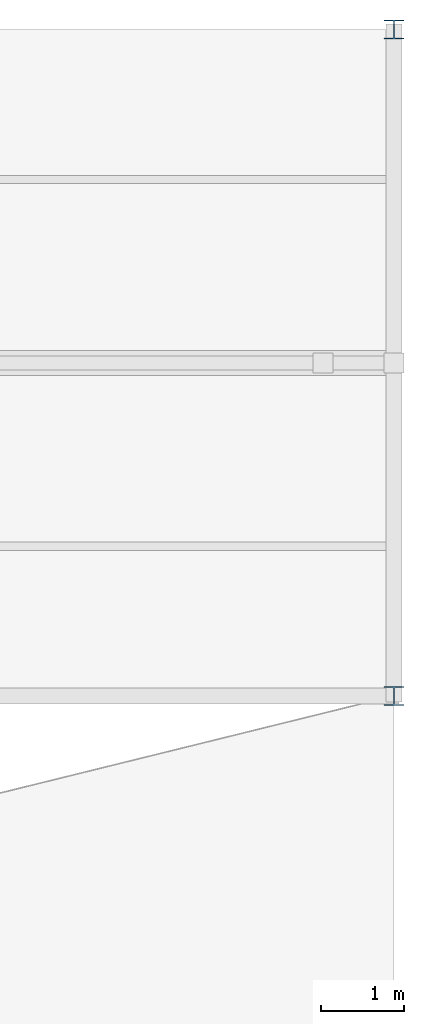
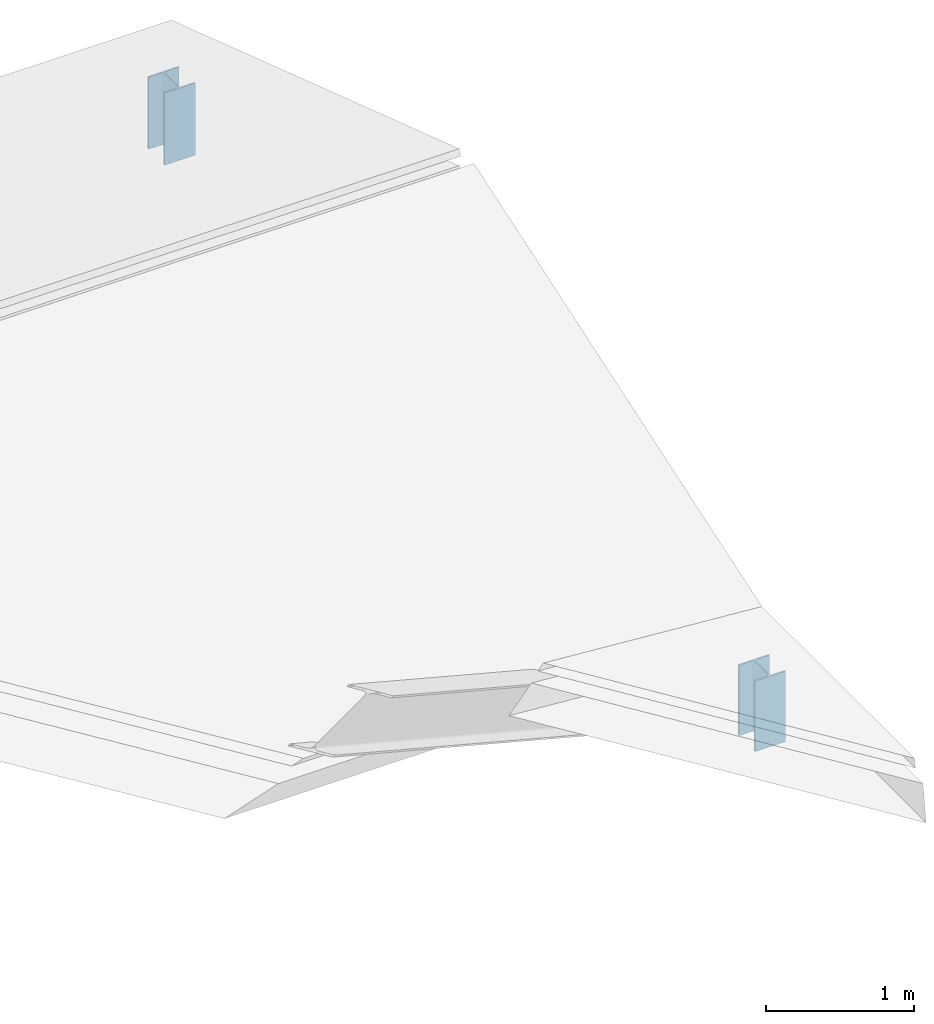
# One storey, part 6 of 8: 2 members.
"""IFC4 building model written with IfcOpenShell, lengths in metres."""

import ifcopenshell
import ifcopenshell.guid

model = None  # the IFC model being written
_history = None  # IfcOwnerHistory: only IFC2X3 demands one
_inside = {}  # id of a spatial element -> (the spatial element, [elements in it])
_under = {}  # id of a project, library or spatial element -> (it, [spatial elements below it])
_declared = {}  # id of a project -> (the project, [libraries it declares])
_typed = {}  # id of a type object -> (the type object, [elements of that type])
_made_of = {}  # id of a material, layer set ... -> (it, [elements and type objects made of it])


def new_model(schema):
    """Start an empty IFC model of exactly this schema.

    Asked for "IFC4X3", IfcOpenShell would pick the latest addendum, in which some entities
    have other attributes; the version numbers below select the first issue.
    IFC2X3 requires an IfcOwnerHistory on every rooted entity: one is made here for all.
    """
    global model, _history
    if schema == "IFC4X3":
        model = ifcopenshell.file(schema_version=(4, 3, 0, 0))
    else:
        model = ifcopenshell.file(schema=schema)
    _inside.clear()
    _under.clear()
    _declared.clear()
    _typed.clear()
    _made_of.clear()
    _history = None
    if model.schema == "IFC2X3":
        org = make("IfcOrganization", Name="unknown")
        user = make(
            "IfcPersonAndOrganization",
            ThePerson=make("IfcPerson", FamilyName="unknown"),
            TheOrganization=org,
        )
        app = make(
            "IfcApplication",
            ApplicationDeveloper=org,
            Version="unknown",
            ApplicationFullName="unknown",
            ApplicationIdentifier="unknown",
        )
        _history = make(
            "IfcOwnerHistory",
            OwningUser=user,
            OwningApplication=app,
            ChangeAction="ADDED",
            CreationDate=0,
        )
    return model


def make(cls, **values):
    """One entity of the class cls with the attributes given. An attribute that is None is left unset."""
    return model.create_entity(
        cls, **{name: value for name, value in values.items() if value is not None}
    )


def rooted(cls, **values):
    """An entity with a GlobalId (a new one), such as an element, a storey or a relation."""
    return make(cls, GlobalId=ifcopenshell.guid.new(), OwnerHistory=_history, **values)


def si_unit(unit_type, name, prefix=None):
    """IfcSIUnit, for example si_unit("LENGTHUNIT", "METRE", prefix="MILLI")."""
    return make("IfcSIUnit", UnitType=unit_type, Prefix=prefix, Name=name)


def assignment(units):
    """IfcUnitAssignment: the units of a project."""
    return None if units is None else make("IfcUnitAssignment", Units=units)


def point(xyz):
    """IfcCartesianPoint."""
    return None if xyz is None else make("IfcCartesianPoint", Coordinates=xyz)


def direction(xyz):
    """IfcDirection."""
    return None if xyz is None else make("IfcDirection", DirectionRatios=xyz)


def frame(location, z_axis=None, x_axis=None):
    """IfcAxis2Placement3D, a coordinate frame: its origin and axes. An axis left out is left unset."""
    return make(
        "IfcAxis2Placement3D",
        Location=point(location),
        Axis=direction(z_axis),
        RefDirection=direction(x_axis),
    )


def frame_2d(location, x_axis=None):
    """IfcAxis2Placement2D, a coordinate frame in the plane: its origin and x axis."""
    return make(
        "IfcAxis2Placement2D", Location=point(location), RefDirection=direction(x_axis)
    )


def origin():
    """The frame at (0, 0, 0) with its axes left unset."""
    return frame((0.0, 0.0, 0.0))


def origin_2d():
    """The frame at (0, 0) in the plane with its x axis left unset."""
    return frame_2d((0.0, 0.0))


def place(relative_to, where):
    """IfcLocalPlacement: puts the frame where relative to a parent placement (None: the world)."""
    return make(
        "IfcLocalPlacement", PlacementRelTo=relative_to, RelativePlacement=where
    )


def context(
    kind, dimensions, precision=None, world=None, true_north=None, identifier=None
):
    """IfcGeometricRepresentationContext, for example the 3D "Model" context."""
    return make(
        "IfcGeometricRepresentationContext",
        ContextIdentifier=identifier,
        ContextType=kind,
        CoordinateSpaceDimension=dimensions,
        Precision=precision,
        WorldCoordinateSystem=world,
        TrueNorth=true_north,
    )


def subcontext(parent, identifier, kind, view, scale=None):
    """IfcGeometricRepresentationSubContext, for example "Body" below "Model"."""
    return make(
        "IfcGeometricRepresentationSubContext",
        ContextIdentifier=identifier,
        ContextType=kind,
        ParentContext=parent,
        TargetScale=scale,
        TargetView=view,
    )


def project(units=None, contexts=None):
    """IfcProject with its units and contexts."""
    return rooted(
        "IfcProject",
        Name="project",
        RepresentationContexts=contexts,
        UnitsInContext=assignment(units),
    )


def spatial(cls, under=None, at=None, **own):
    """A site, building, storey or space (cls), placed at a placement, below another one or the project."""
    s = rooted(cls, ObjectPlacement=at, **own)
    if under is not None:
        _under.setdefault(under.id(), (under, []))[1].append(s)
    return s


def profile(cls, at=None, kind="AREA", **sizes):
    """A parametric profile (cls). Its sizes go by their IFC names, for example OverallWidth=200.0."""
    return make(cls, ProfileType=kind, Position=at, **sizes)


def i_section(**sizes):
    """IfcIShapeProfileDef."""
    return profile("IfcIShapeProfileDef", **sizes)


def extrude(swept, where, along, depth):
    """IfcExtrudedAreaSolid: the profile swept, set in the frame where, extruded along a direction by depth."""
    return make(
        "IfcExtrudedAreaSolid",
        SweptArea=swept,
        Position=where,
        ExtrudedDirection=direction(along),
        Depth=depth,
    )


def shape(context_of_items, identifier, shape_type, items):
    """IfcShapeRepresentation: the items that make up one representation, for example the "Body"."""
    return make(
        "IfcShapeRepresentation",
        ContextOfItems=context_of_items,
        RepresentationIdentifier=identifier,
        RepresentationType=shape_type,
        Items=items,
    )


def material(Name=None, Category=None):
    """IfcMaterial."""
    return make("IfcMaterial", Name=Name, Category=Category)


def material_profile(
    of_material, cross_section, Name=None, Category=None, Priority=None
):
    """IfcMaterialProfile: a cross section and its material."""
    return make(
        "IfcMaterialProfile",
        Name=Name,
        Material=of_material,
        Profile=cross_section,
        Priority=Priority,
        Category=Category,
    )


def profile_set(profiles, Name=None, composite=None):
    """IfcMaterialProfileSet."""
    return make(
        "IfcMaterialProfileSet",
        Name=Name,
        MaterialProfiles=profiles,
        CompositeProfile=composite,
    )


def made_of(thing, what):
    """Note that an element or type object is made of a material, layer set ...; save() writes the relation."""
    if what is not None:
        _made_of.setdefault(what.id(), (what, []))[1].append(thing)
    return thing


def type_object(cls, material=None, **own):
    """A type object (cls), such as IfcWallType, which elements share."""
    return made_of(rooted(cls, **own), material)


def element(
    cls,
    number,
    at=None,
    inside=None,
    cuts=None,
    type_object=None,
    material=None,
    context=None,
    identifier="Body",
    shape_type=None,
    held_by="IfcProductDefinitionShape",
    body=None,
    shapes=None,
    **own,
):
    """One element of the class cls, such as IfcWall. Its Tag is "e" and its number.

    at: its placement. inside: the storey or other place that contains it. cuts: it is an
    opening in that element (IfcRelVoidsElement). A single representation is given by context,
    identifier, shape_type and body (its items); several are given by shapes. held_by: the class
    of the entity that holds the representations. save() writes the other relations.
    """
    e = rooted(cls, Tag="e%d" % number, ObjectPlacement=at, **own)
    if body is not None:
        shapes = [shape(context, identifier, shape_type, body)]
    if shapes is not None:
        e.Representation = make(held_by, Representations=shapes)
    if inside is not None:
        _inside.setdefault(inside.id(), (inside, []))[1].append(e)
    if cuts is not None:
        rooted(
            "IfcRelVoidsElement", RelatingBuildingElement=cuts, RelatedOpeningElement=e
        )
    if type_object is not None:
        _typed.setdefault(type_object.id(), (type_object, []))[1].append(e)
    return made_of(e, material)


def aggregate(whole, parts):
    """IfcRelAggregates: a whole, such as a stair, and the parts it consists of."""
    return rooted("IfcRelAggregates", RelatingObject=whole, RelatedObjects=parts)


def save(model, path):
    """Write the relations noted so far, then the file.

    IfcRelAggregates (storeys below a building ...), IfcRelContainedInSpatialStructure (elements
    in a storey), IfcRelDefinesByType, IfcRelAssociatesMaterial and IfcRelDeclares: one each for
    every whole, place, type object, material and project.
    """
    for whole, parts in _under.values():
        aggregate(whole, parts)
    for where, things in _inside.values():
        rooted(
            "IfcRelContainedInSpatialStructure",
            RelatedElements=things,
            RelatingStructure=where,
        )
    for kind, things in _typed.values():
        rooted("IfcRelDefinesByType", RelatedObjects=things, RelatingType=kind)
    for what, things in _made_of.values():
        rooted("IfcRelAssociatesMaterial", RelatedObjects=things, RelatingMaterial=what)
    for by, libraries in _declared.values():
        rooted("IfcRelDeclares", RelatingContext=by, RelatedDefinitions=libraries)
    model.write(path)


model = new_model("IFC4")

# Units and contexts
model_context = context("Model", 3, precision=1e-05, world=origin(), true_north=direction((0.0, 1.0)))
body_context = subcontext(model_context, "Body", "Model", "MODEL_VIEW")
ifc_project = project(units=[si_unit("LENGTHUNIT", "METRE"), si_unit("AREAUNIT", "SQUARE_METRE"), si_unit("VOLUMEUNIT", "CUBIC_METRE"), si_unit("PLANEANGLEUNIT", "RADIAN"), si_unit("MASSUNIT", "GRAM", prefix="KILO")], contexts=[model_context])

# Site, building, storey
site_placement = place(None, origin())
site = spatial("IfcSite", under=ifc_project, at=site_placement, CompositionType="ELEMENT")
building_placement = place(site_placement, origin())
building = spatial("IfcBuilding", under=site, at=building_placement, Name="Kenh Van Central Station", CompositionType="ELEMENT")
storey_placement = place(building_placement, frame((0.0, 0.0, 27.60009765625)))
storey = spatial("IfcBuildingStorey", under=building, at=storey_placement, Name="RF", CompositionType="ELEMENT", Elevation=27.60009765625)

# Members
ifc_material = material(Name="Steel S355", Category="steel")
ifc_material_profile = material_profile(ifc_material, i_section(OverallWidth=0.239990234375, OverallDepth=0.22998046875, WebThickness=0.007568359375, FlangeThickness=0.011962890625, FilletRadius=0.02099609375, at=origin_2d()), Name="HEA 240")
ifc_profile_set = profile_set([ifc_material_profile], Name="Steel S355")
member_type = type_object("IfcMemberType", Name="MEM-ROOF-POST240", PredefinedType="POST", material=ifc_profile_set)
member_1_placement = place(storey_placement, frame((176.0, 64.0, -0.9501953125), z_axis=(0.0, 0.0, 1.0), x_axis=(1.0, 0.0, 0.0)))
element("IfcMember", 1, at=member_1_placement, inside=storey, type_object=member_type, Name="RF roof eave post 213", PredefinedType="POST", context=body_context, shape_type="SweptSolid", body=[
    extrude(i_section(OverallWidth=0.239990234375, OverallDepth=0.22998046875, WebThickness=0.007568359375, FlangeThickness=0.011962890625, FilletRadius=0.02099609375, at=origin_2d()), origin(), (0.0, 0.0, 1.0), 0.58447265625),
])
member_2_placement = place(storey_placement, frame((176.0, 72.0, -0.9501953125), z_axis=(0.0, 0.0, 1.0), x_axis=(1.0, 0.0, 0.0)))
element("IfcMember", 2, at=member_2_placement, inside=storey, type_object=member_type, Name="RF roof eave post 222", PredefinedType="POST", context=body_context, shape_type="SweptSolid", body=[
    extrude(i_section(OverallWidth=0.239990234375, OverallDepth=0.22998046875, WebThickness=0.007568359375, FlangeThickness=0.011962890625, FilletRadius=0.02099609375, at=origin_2d()), origin(), (0.0, 0.0, 1.0), 0.5966796875),
])

save(model, "model.ifc")
